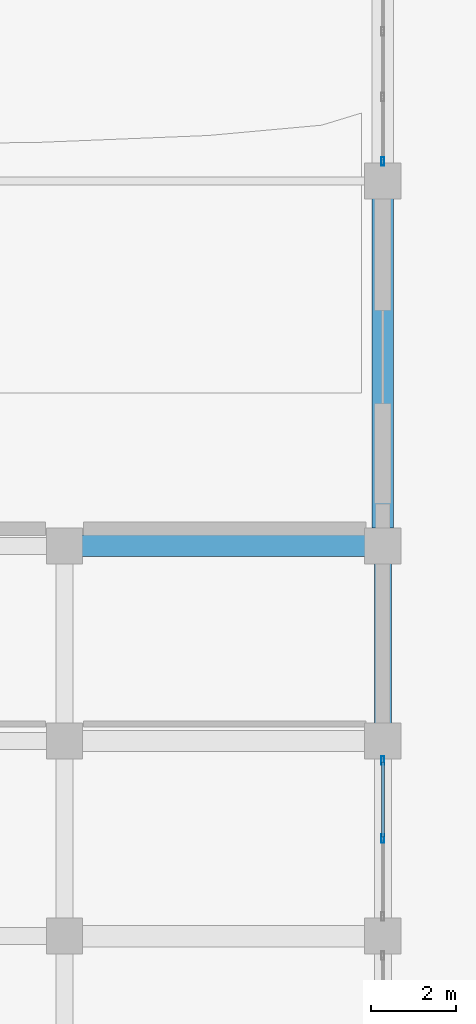
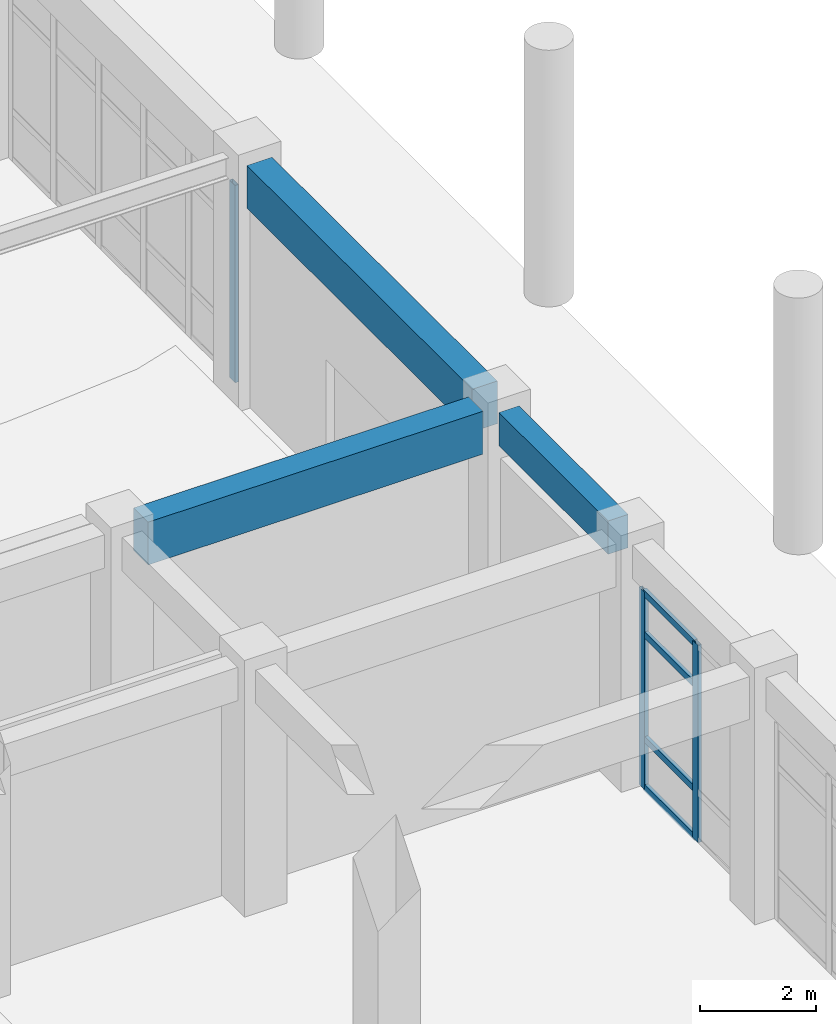
# One storey, part 49 of 84: 7 members, 3 beams, 2 elements without a shape of their own.
"""IFC4 building model written with IfcOpenShell, lengths in metres."""

import ifcopenshell
import ifcopenshell.guid

model = None  # the IFC model being written
_history = None  # IfcOwnerHistory: only IFC2X3 demands one
_inside = {}  # id of a spatial element -> (the spatial element, [elements in it])
_under = {}  # id of a project, library or spatial element -> (it, [spatial elements below it])
_declared = {}  # id of a project -> (the project, [libraries it declares])
_typed = {}  # id of a type object -> (the type object, [elements of that type])
_made_of = {}  # id of a material, layer set ... -> (it, [elements and type objects made of it])


def new_model(schema):
    """Start an empty IFC model of exactly this schema.

    Asked for "IFC4X3", IfcOpenShell would pick the latest addendum, in which some entities
    have other attributes; the version numbers below select the first issue.
    IFC2X3 requires an IfcOwnerHistory on every rooted entity: one is made here for all.
    """
    global model, _history
    if schema == "IFC4X3":
        model = ifcopenshell.file(schema_version=(4, 3, 0, 0))
    else:
        model = ifcopenshell.file(schema=schema)
    _inside.clear()
    _under.clear()
    _declared.clear()
    _typed.clear()
    _made_of.clear()
    _history = None
    if model.schema == "IFC2X3":
        org = make("IfcOrganization", Name="unknown")
        user = make(
            "IfcPersonAndOrganization",
            ThePerson=make("IfcPerson", FamilyName="unknown"),
            TheOrganization=org,
        )
        app = make(
            "IfcApplication",
            ApplicationDeveloper=org,
            Version="unknown",
            ApplicationFullName="unknown",
            ApplicationIdentifier="unknown",
        )
        _history = make(
            "IfcOwnerHistory",
            OwningUser=user,
            OwningApplication=app,
            ChangeAction="ADDED",
            CreationDate=0,
        )
    return model


def make(cls, **values):
    """One entity of the class cls with the attributes given. An attribute that is None is left unset."""
    return model.create_entity(
        cls, **{name: value for name, value in values.items() if value is not None}
    )


def rooted(cls, **values):
    """An entity with a GlobalId (a new one), such as an element, a storey or a relation."""
    return make(cls, GlobalId=ifcopenshell.guid.new(), OwnerHistory=_history, **values)


def si_unit(unit_type, name, prefix=None):
    """IfcSIUnit, for example si_unit("LENGTHUNIT", "METRE", prefix="MILLI")."""
    return make("IfcSIUnit", UnitType=unit_type, Prefix=prefix, Name=name)


def assignment(units):
    """IfcUnitAssignment: the units of a project."""
    return None if units is None else make("IfcUnitAssignment", Units=units)


def point(xyz):
    """IfcCartesianPoint."""
    return None if xyz is None else make("IfcCartesianPoint", Coordinates=xyz)


def direction(xyz):
    """IfcDirection."""
    return None if xyz is None else make("IfcDirection", DirectionRatios=xyz)


def frame(location, z_axis=None, x_axis=None):
    """IfcAxis2Placement3D, a coordinate frame: its origin and axes. An axis left out is left unset."""
    return make(
        "IfcAxis2Placement3D",
        Location=point(location),
        Axis=direction(z_axis),
        RefDirection=direction(x_axis),
    )


def frame_2d(location, x_axis=None):
    """IfcAxis2Placement2D, a coordinate frame in the plane: its origin and x axis."""
    return make(
        "IfcAxis2Placement2D", Location=point(location), RefDirection=direction(x_axis)
    )


def origin():
    """The frame at (0, 0, 0) with its axes left unset."""
    return frame((0.0, 0.0, 0.0))


def origin_2d():
    """The frame at (0, 0) in the plane with its x axis left unset."""
    return frame_2d((0.0, 0.0))


def place(relative_to, where):
    """IfcLocalPlacement: puts the frame where relative to a parent placement (None: the world)."""
    return make(
        "IfcLocalPlacement", PlacementRelTo=relative_to, RelativePlacement=where
    )


def context(
    kind, dimensions, precision=None, world=None, true_north=None, identifier=None
):
    """IfcGeometricRepresentationContext, for example the 3D "Model" context."""
    return make(
        "IfcGeometricRepresentationContext",
        ContextIdentifier=identifier,
        ContextType=kind,
        CoordinateSpaceDimension=dimensions,
        Precision=precision,
        WorldCoordinateSystem=world,
        TrueNorth=true_north,
    )


def subcontext(parent, identifier, kind, view, scale=None):
    """IfcGeometricRepresentationSubContext, for example "Body" below "Model"."""
    return make(
        "IfcGeometricRepresentationSubContext",
        ContextIdentifier=identifier,
        ContextType=kind,
        ParentContext=parent,
        TargetScale=scale,
        TargetView=view,
    )


def project(units=None, contexts=None):
    """IfcProject with its units and contexts."""
    return rooted(
        "IfcProject",
        Name="project",
        RepresentationContexts=contexts,
        UnitsInContext=assignment(units),
    )


def spatial(cls, under=None, at=None, **own):
    """A site, building, storey or space (cls), placed at a placement, below another one or the project."""
    s = rooted(cls, ObjectPlacement=at, **own)
    if under is not None:
        _under.setdefault(under.id(), (under, []))[1].append(s)
    return s


def profile(cls, at=None, kind="AREA", **sizes):
    """A parametric profile (cls). Its sizes go by their IFC names, for example OverallWidth=200.0."""
    return make(cls, ProfileType=kind, Position=at, **sizes)


def rectangle(**sizes):
    """IfcRectangleProfileDef."""
    return profile("IfcRectangleProfileDef", **sizes)


def hollow_rectangle(**sizes):
    """IfcRectangleHollowProfileDef."""
    return profile("IfcRectangleHollowProfileDef", **sizes)


def extrude(swept, where, along, depth):
    """IfcExtrudedAreaSolid: the profile swept, set in the frame where, extruded along a direction by depth."""
    return make(
        "IfcExtrudedAreaSolid",
        SweptArea=swept,
        Position=where,
        ExtrudedDirection=direction(along),
        Depth=depth,
    )


def shape(context_of_items, identifier, shape_type, items):
    """IfcShapeRepresentation: the items that make up one representation, for example the "Body"."""
    return make(
        "IfcShapeRepresentation",
        ContextOfItems=context_of_items,
        RepresentationIdentifier=identifier,
        RepresentationType=shape_type,
        Items=items,
    )


def material(Name=None, Category=None):
    """IfcMaterial."""
    return make("IfcMaterial", Name=Name, Category=Category)


def layer(
    of_material, thickness, ventilated=None, Name=None, Category=None, Priority=None
):
    """IfcMaterialLayer: one layer of a wall or slab, of a material (None: an air gap)."""
    return make(
        "IfcMaterialLayer",
        Material=of_material,
        LayerThickness=thickness,
        IsVentilated=ventilated,
        Name=Name,
        Category=Category,
        Priority=Priority,
    )


def layer_set(layers, Name=None):
    """IfcMaterialLayerSet."""
    return make("IfcMaterialLayerSet", MaterialLayers=layers, LayerSetName=Name)


def material_profile(
    of_material, cross_section, Name=None, Category=None, Priority=None
):
    """IfcMaterialProfile: a cross section and its material."""
    return make(
        "IfcMaterialProfile",
        Name=Name,
        Material=of_material,
        Profile=cross_section,
        Priority=Priority,
        Category=Category,
    )


def profile_set(profiles, Name=None, composite=None):
    """IfcMaterialProfileSet."""
    return make(
        "IfcMaterialProfileSet",
        Name=Name,
        MaterialProfiles=profiles,
        CompositeProfile=composite,
    )


def made_of(thing, what):
    """Note that an element or type object is made of a material, layer set ...; save() writes the relation."""
    if what is not None:
        _made_of.setdefault(what.id(), (what, []))[1].append(thing)
    return thing


def type_object(cls, material=None, **own):
    """A type object (cls), such as IfcWallType, which elements share."""
    return made_of(rooted(cls, **own), material)


def element(
    cls,
    number,
    at=None,
    inside=None,
    cuts=None,
    type_object=None,
    material=None,
    context=None,
    identifier="Body",
    shape_type=None,
    held_by="IfcProductDefinitionShape",
    body=None,
    shapes=None,
    **own,
):
    """One element of the class cls, such as IfcWall. Its Tag is "e" and its number.

    at: its placement. inside: the storey or other place that contains it. cuts: it is an
    opening in that element (IfcRelVoidsElement). A single representation is given by context,
    identifier, shape_type and body (its items); several are given by shapes. held_by: the class
    of the entity that holds the representations. save() writes the other relations.
    """
    e = rooted(cls, Tag="e%d" % number, ObjectPlacement=at, **own)
    if body is not None:
        shapes = [shape(context, identifier, shape_type, body)]
    if shapes is not None:
        e.Representation = make(held_by, Representations=shapes)
    if inside is not None:
        _inside.setdefault(inside.id(), (inside, []))[1].append(e)
    if cuts is not None:
        rooted(
            "IfcRelVoidsElement", RelatingBuildingElement=cuts, RelatedOpeningElement=e
        )
    if type_object is not None:
        _typed.setdefault(type_object.id(), (type_object, []))[1].append(e)
    return made_of(e, material)


def aggregate(whole, parts):
    """IfcRelAggregates: a whole, such as a stair, and the parts it consists of."""
    return rooted("IfcRelAggregates", RelatingObject=whole, RelatedObjects=parts)


def save(model, path):
    """Write the relations noted so far, then the file.

    IfcRelAggregates (storeys below a building ...), IfcRelContainedInSpatialStructure (elements
    in a storey), IfcRelDefinesByType, IfcRelAssociatesMaterial and IfcRelDeclares: one each for
    every whole, place, type object, material and project.
    """
    for whole, parts in _under.values():
        aggregate(whole, parts)
    for where, things in _inside.values():
        rooted(
            "IfcRelContainedInSpatialStructure",
            RelatedElements=things,
            RelatingStructure=where,
        )
    for kind, things in _typed.values():
        rooted("IfcRelDefinesByType", RelatedObjects=things, RelatingType=kind)
    for what, things in _made_of.values():
        rooted("IfcRelAssociatesMaterial", RelatedObjects=things, RelatingMaterial=what)
    for by, libraries in _declared.values():
        rooted("IfcRelDeclares", RelatingContext=by, RelatedDefinitions=libraries)
    model.write(path)


model = new_model("IFC4")

# Units and contexts
model_context = context("Model", 3, precision=1e-05, world=origin(), true_north=direction((0.0, 1.0)))
body_context = subcontext(model_context, "Body", "Model", "MODEL_VIEW")
ifc_project = project(units=[si_unit("LENGTHUNIT", "METRE"), si_unit("AREAUNIT", "SQUARE_METRE"), si_unit("VOLUMEUNIT", "CUBIC_METRE"), si_unit("PLANEANGLEUNIT", "RADIAN"), si_unit("MASSUNIT", "GRAM", prefix="KILO")], contexts=[model_context])

# Site, building, storey
site_placement = place(None, origin())
site = spatial("IfcSite", under=ifc_project, at=site_placement, CompositionType="ELEMENT")
building_placement = place(site_placement, origin())
building = spatial("IfcBuilding", under=site, at=building_placement, Name="Muzn Square Opera House", CompositionType="ELEMENT")
storey_placement = place(building_placement, origin())
storey = spatial("IfcBuildingStorey", under=building, at=storey_placement, Name="L00", CompositionType="ELEMENT", Elevation=0.0)

# Curtain wall, members
ifc_material_1 = material(Name="Low-E laminated acoustic double glazing", Category="glass")
ifc_layer_1 = layer(ifc_material_1, 0.159912109375, Name="Low-E laminated acoustic double glazing", Category="glass")
ifc_layer_set_1 = layer_set([ifc_layer_1], Name="Low-E laminated acoustic double glazing")
curtain_wall_type_1 = type_object("IfcCurtainWallType", Name="Glazed Curtain Wall EastBlvd 3750x4150", PredefinedType="USERDEFINED", material=ifc_layer_set_1)
curtain_wall_1_placement = place(storey_placement, origin())
curtain_wall_1 = element("IfcCurtainWall", 1, at=curtain_wall_1_placement, inside=storey, type_object=curtain_wall_type_1, Name="Glazed Curtain Wall CW-L00-110", ObjectType="GLAZED CURTAIN WALL", PredefinedType="USERDEFINED")
ifc_material_2 = material(Name="Anodised bronze aluminium 6063-T6", Category="metal")
ifc_material_profile_1 = material_profile(ifc_material_2, hollow_rectangle(XDim=0.070068359375, YDim=0.199951171875, WallThickness=0.0048828125, at=origin_2d()), Name="ALU 200x70x5", Category="metal")
ifc_profile_set_1 = profile_set([ifc_material_profile_1], Name="Anodised bronze aluminium 6063-T6")
member_type_1 = type_object("IfcMemberType", Name="Curtain Wall Mullion 200x70", PredefinedType="MULLION", material=ifc_profile_set_1)
member_1_placement = place(storey_placement, frame((170.0, 65.699951171875, 0.0), z_axis=(0.0, 0.0, 1.0), x_axis=(-1.0, 0.0, 0.0)))
member_1 = element("IfcMember", 2, at=member_1_placement, type_object=member_type_1, Name="CW-EBL-37x41 mullion 2", PredefinedType="MULLION", context=body_context, shape_type="SweptSolid", body=[
    extrude(hollow_rectangle(XDim=0.070068359375, YDim=0.199951171875, WallThickness=0.0048828125, at=origin_2d()), origin(), (0.0, 0.0, 1.0), 4.14990234375),
])
member_2_placement = place(storey_placement, frame((170.0, 67.5400390625, 0.0), z_axis=(0.0, 0.0, 1.0), x_axis=(-1.0, 0.0, 0.0)))
member_2 = element("IfcMember", 3, at=member_2_placement, type_object=member_type_1, Name="CW-EBL-37x41 mullion 3", PredefinedType="MULLION", context=body_context, shape_type="SweptSolid", body=[
    extrude(hollow_rectangle(XDim=0.070068359375, YDim=0.199951171875, WallThickness=0.0048828125, at=origin_2d()), origin(), (0.0, 0.0, 1.0), 4.14990234375),
])

# Curtain wall, member
ifc_layer_2 = layer(ifc_material_1, 0.159912109375, Name="Low-E laminated acoustic double glazing", Category="glass")
ifc_layer_set_2 = layer_set([ifc_layer_2], Name="Low-E laminated acoustic double glazing")
curtain_wall_type_2 = type_object("IfcCurtainWallType", Name="Glazed Curtain Wall EastBlvd 7750x4150", PredefinedType="USERDEFINED", material=ifc_layer_set_2)
curtain_wall_2_placement = place(storey_placement, origin())
curtain_wall_2 = element("IfcCurtainWall", 4, at=curtain_wall_2_placement, inside=storey, type_object=curtain_wall_type_2, Name="Glazed Curtain Wall CW-L00-111", ObjectType="GLAZED CURTAIN WALL", PredefinedType="USERDEFINED")
member_3_placement = place(storey_placement, frame((170.0, 81.659912109375, 0.0), z_axis=(0.0, 0.0, 1.0), x_axis=(-1.0, 0.0, 0.0)))
member_3 = element("IfcMember", 5, at=member_3_placement, type_object=member_type_1, Name="CW-EBL-77x41 mullion 1", PredefinedType="MULLION", context=body_context, shape_type="SweptSolid", body=[
    extrude(hollow_rectangle(XDim=0.070068359375, YDim=0.199951171875, WallThickness=0.0048828125, at=origin_2d()), origin(), (0.0, 0.0, 1.0), 4.14990234375),
])
aggregate(curtain_wall_2, [member_3])

# Member
ifc_material_profile_2 = material_profile(ifc_material_2, hollow_rectangle(XDim=0.070068359375, YDim=0.139892578125, WallThickness=0.00390625, at=origin_2d()), Name="ALU 140x70x4", Category="metal")
ifc_profile_set_2 = profile_set([ifc_material_profile_2], Name="Anodised bronze aluminium 6063-T6")
member_type_2 = type_object("IfcMemberType", Name="Curtain Wall Transom 140x70", PredefinedType="USERDEFINED", material=ifc_profile_set_2)
member_4_placement = place(storey_placement, frame((170.0, 65.735107421875, 0.034912109375), z_axis=(0.0, 1.0, 0.0), x_axis=(-1.0, 0.0, 0.0)))
member_4 = element("IfcMember", 6, at=member_4_placement, type_object=member_type_2, Name="CW-EBL-37x41 transom 2.1", ObjectType="TRANSOM", PredefinedType="USERDEFINED", context=body_context, shape_type="SweptSolid", body=[
    extrude(hollow_rectangle(XDim=0.070068359375, YDim=0.139892578125, WallThickness=0.00390625, at=origin_2d()), origin(), (0.0, 0.0, 1.0), 1.769775390625),
])

member_5_placement = place(storey_placement, frame((170.0, 65.735107421875, 1.050048828125), z_axis=(0.0, 1.0, 0.0), x_axis=(-1.0, 0.0, 0.0)))
member_5 = element("IfcMember", 7, at=member_5_placement, type_object=member_type_2, Name="CW-EBL-37x41 transom 2.2", ObjectType="TRANSOM", PredefinedType="USERDEFINED", context=body_context, shape_type="SweptSolid", body=[
    extrude(hollow_rectangle(XDim=0.070068359375, YDim=0.139892578125, WallThickness=0.00390625, at=origin_2d()), origin(), (0.0, 0.0, 1.0), 1.769775390625),
])

member_6_placement = place(storey_placement, frame((170.0, 65.735107421875, 3.25), z_axis=(0.0, 1.0, 0.0), x_axis=(-1.0, 0.0, 0.0)))
member_6 = element("IfcMember", 8, at=member_6_placement, type_object=member_type_2, Name="CW-EBL-37x41 transom 2.3", ObjectType="TRANSOM", PredefinedType="USERDEFINED", context=body_context, shape_type="SweptSolid", body=[
    extrude(hollow_rectangle(XDim=0.070068359375, YDim=0.139892578125, WallThickness=0.00390625, at=origin_2d()), origin(), (0.0, 0.0, 1.0), 1.769775390625),
])

member_7_placement = place(storey_placement, frame((170.0, 65.735107421875, 4.114990234375), z_axis=(0.0, 1.0, 0.0), x_axis=(-1.0, 0.0, 0.0)))
member_7 = element("IfcMember", 9, at=member_7_placement, type_object=member_type_2, Name="CW-EBL-37x41 transom 2.4", ObjectType="TRANSOM", PredefinedType="USERDEFINED", context=body_context, shape_type="SweptSolid", body=[
    extrude(hollow_rectangle(XDim=0.070068359375, YDim=0.139892578125, WallThickness=0.00390625, at=origin_2d()), origin(), (0.0, 0.0, 1.0), 1.769775390625),
])

aggregate(curtain_wall_1, [member_1, member_2, member_4, member_5, member_6, member_7])

# Beams
ifc_material_3 = material(Name="Concrete C40/50", Category="concrete")
ifc_material_profile_3 = material_profile(ifc_material_3, rectangle(XDim=0.39990234375, YDim=0.699951171875, at=origin_2d()), Name="RCB 400x700", Category="concrete")
ifc_profile_set_3 = profile_set([ifc_material_profile_3], Name="Concrete C40/50")
beam_type_1 = type_object("IfcBeamType", Name="Primary Girder 400x700", PredefinedType="BEAM", material=ifc_profile_set_3)
beam_1_placement = place(storey_placement, frame((170.0, 68.4169921875, 4.77001953125), z_axis=(0.0, 1.0, 0.0), x_axis=(-1.0, 0.0, 0.0)))
element("IfcBeam", 10, at=beam_1_placement, inside=storey, type_object=beam_type_1, Name="Primary Girder BM-L00-BM-PG700-1700_684_1700_722-1178", PredefinedType="BEAM", context=body_context, shape_type="SweptSolid", body=[
    extrude(rectangle(XDim=0.39990234375, YDim=0.699951171875, at=origin_2d()), origin(), (0.0, 0.0, 1.0), 3.76611328125),
])
ifc_material_profile_4 = material_profile(ifc_material_3, rectangle(XDim=0.5, YDim=0.89990234375, at=origin_2d()), Name="RCB 500x900", Category="concrete")
ifc_profile_set_4 = profile_set([ifc_material_profile_4], Name="Concrete C40/50")
beam_type_2 = type_object("IfcBeamType", Name="Primary Girder 500x900", PredefinedType="BEAM", material=ifc_profile_set_4)
beam_2_placement = place(storey_placement, frame((162.9169921875, 72.60009765625, 4.669921875), z_axis=(1.0, 0.0, 0.0), x_axis=(0.0, 1.0, 0.0)))
element("IfcBeam", 11, at=beam_2_placement, inside=storey, type_object=beam_type_2, Name="Primary Girder BM-L00-BM-PG900-1629_726_1696_726-912", PredefinedType="BEAM", context=body_context, shape_type="SweptSolid", body=[
    extrude(rectangle(XDim=0.5, YDim=0.89990234375, at=origin_2d()), origin(), (0.0, 0.0, 1.0), 6.666015625),
])
beam_3_placement = place(storey_placement, frame((170.0, 73.01708984375, 4.669921875), z_axis=(0.0, 1.0, 0.0), x_axis=(-1.0, 0.0, 0.0)))
element("IfcBeam", 12, at=beam_3_placement, inside=storey, type_object=beam_type_2, Name="Primary Girder BM-L00-BM-PG900-1700_730_1700_808-1179", PredefinedType="BEAM", context=body_context, shape_type="SweptSolid", body=[
    extrude(rectangle(XDim=0.5, YDim=0.89990234375, at=origin_2d()), origin(), (0.0, 0.0, 1.0), 7.765869140625),
])

save(model, "model.ifc")
